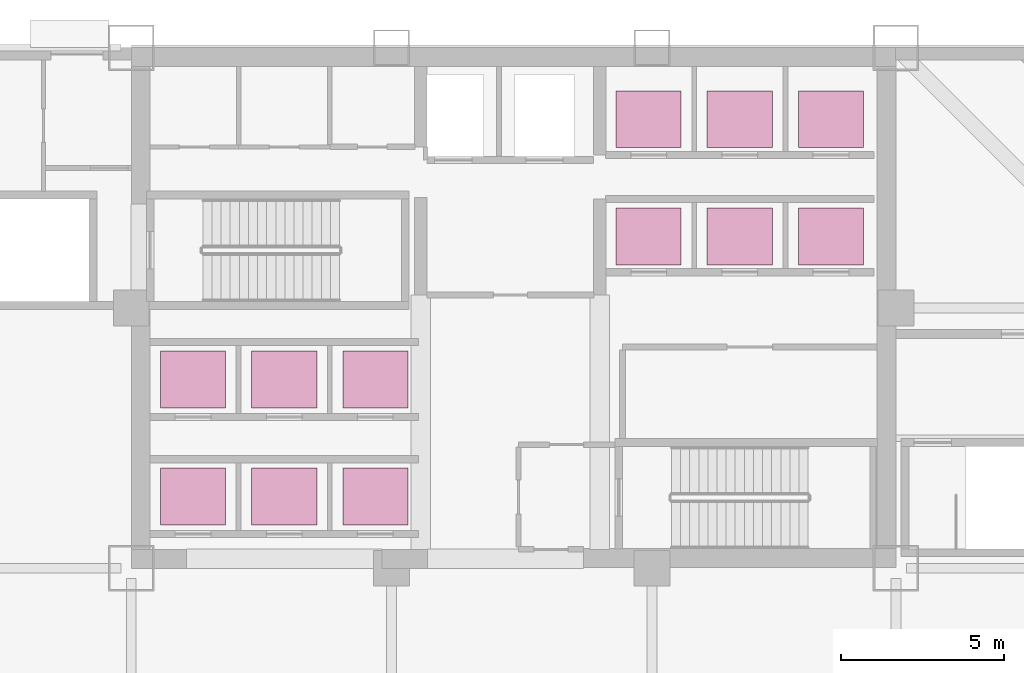
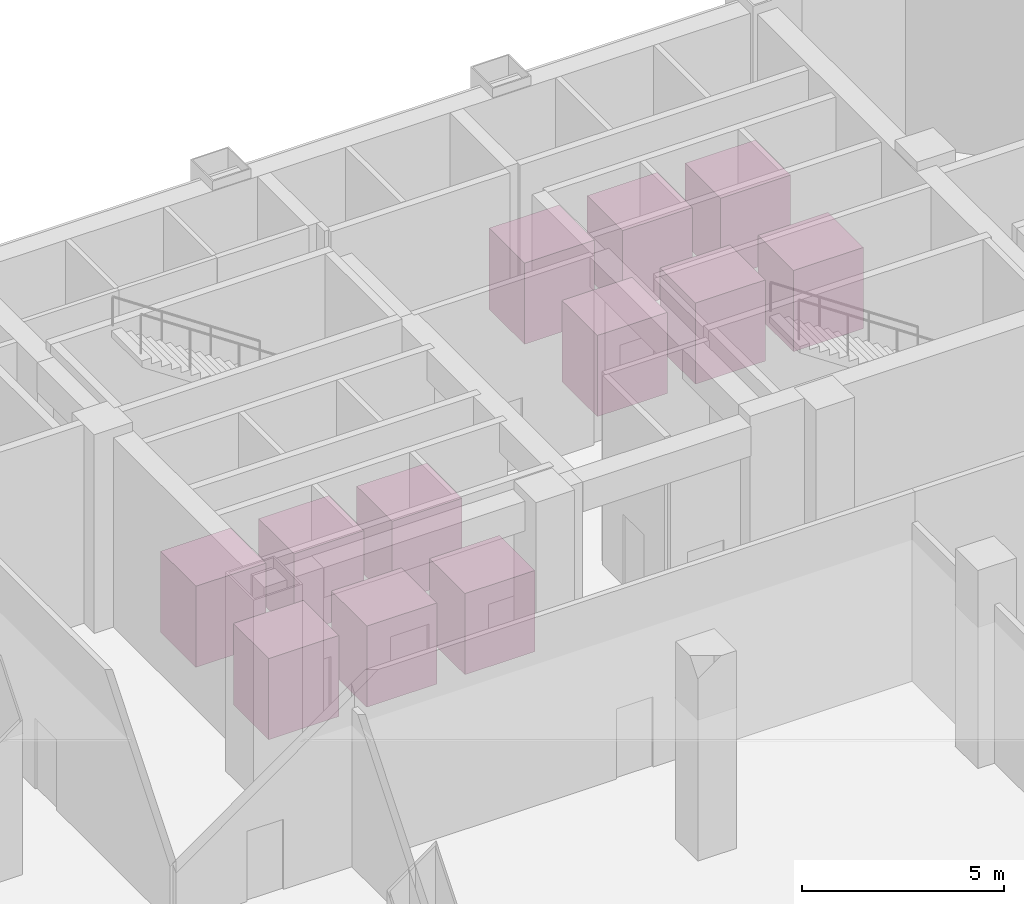
# One storey, part 19 of 19: 12 transport elements.
"""IFC4 building model written with IfcOpenShell, lengths in metres."""

from ifc_helpers import new_model, si_unit, direction, frame, origin, origin_2d, place, context, subcontext, project, spatial, rectangle, extrude, material, type_object, element, save


model = new_model("IFC4")

# Units and contexts
model_context = context("Model", 3, precision=1e-05, world=origin(), true_north=direction((0.0, 1.0)))
body_context = subcontext(model_context, "Body", "Model", "MODEL_VIEW")
ifc_project = project(units=[si_unit("LENGTHUNIT", "METRE"), si_unit("AREAUNIT", "SQUARE_METRE"), si_unit("VOLUMEUNIT", "CUBIC_METRE"), si_unit("PLANEANGLEUNIT", "RADIAN"), si_unit("MASSUNIT", "GRAM", prefix="KILO")], contexts=[model_context])

# Site, building, storey
site_placement = place(None, origin())
site = spatial("IfcSite", under=ifc_project, at=site_placement, CompositionType="ELEMENT")
building_placement = place(site_placement, origin())
building = spatial("IfcBuilding", under=site, at=building_placement, Name="Qianrong Seaharbour Tower", CompositionType="ELEMENT")
storey_placement = place(building_placement, origin())
storey = spatial("IfcBuildingStorey", under=building, at=storey_placement, Name="L01", CompositionType="ELEMENT", Elevation=0.0)

# Transport elements
ifc_material = material(Name="Stainless steel SUS316L high-speed passenger elevator car", Category="steel")
transport_element_type = type_object("IfcTransportElementType", Name="LIFT-PASS-2000x1750", PredefinedType="ELEVATOR", material=ifc_material)
for number, where, z_axis, x_axis, name in (
    (1, (42.39990234375, 38.199951171875, 0.0), (0.0, 0.0, 1.0), (1.0, 0.0, 0.0), "Passenger Elevator Car PL-1A"),
    (2, (45.199951171875, 38.199951171875, 0.0), (0.0, 0.0, 1.0), (1.0, 0.0, 0.0), "Passenger Elevator Car PL-1B"),
    (3, (48.0, 38.199951171875, 0.0), (0.0, 0.0, 1.0), (1.0, 0.0, 0.0), "Passenger Elevator Car PL-1C"),
    (4, (42.39990234375, 41.800048828125, 0.0), (0.0, 0.0, 1.0), (1.0, 0.0, 0.0), "Passenger Elevator Car PL-2A"),
    (5, (45.199951171875, 41.800048828125, 0.0), (0.0, 0.0, 1.0), (1.0, 0.0, 0.0), "Passenger Elevator Car PL-2B"),
    (6, (48.0, 41.800048828125, 0.0), (0.0, 0.0, 1.0), (1.0, 0.0, 0.0), "Passenger Elevator Car PL-2C"),
    (7, (56.39990234375, 46.199951171875, 0.0), (0.0, 0.0, 1.0), (1.0, 0.0, 0.0), "Passenger Elevator Car PL-3A"),
    (8, (59.199951171875, 46.199951171875, 0.0), (0.0, 0.0, 1.0), (1.0, 0.0, 0.0), "Passenger Elevator Car PL-3B"),
    (9, (62.0, 46.199951171875, 0.0), (0.0, 0.0, 1.0), (1.0, 0.0, 0.0), "Passenger Elevator Car PL-3C"),
    (10, (56.39990234375, 49.800048828125, 0.0), (0.0, 0.0, 1.0), (1.0, 0.0, 0.0), "Passenger Elevator Car PL-4A"),
    (11, (59.199951171875, 49.800048828125, 0.0), (0.0, 0.0, 1.0), (1.0, 0.0, 0.0), "Passenger Elevator Car PL-4B"),
    (12, (62.0, 49.800048828125, 0.0), (0.0, 0.0, 1.0), (1.0, 0.0, 0.0), "Passenger Elevator Car PL-4C"),
):
    element("IfcTransportElement", number, at=place(storey_placement, frame(where, z_axis=z_axis, x_axis=x_axis)), inside=storey, type_object=transport_element_type, Name=name, PredefinedType="ELEVATOR", context=body_context, shape_type="SweptSolid", body=[
        extrude(rectangle(XDim=2.0, YDim=1.75, at=origin_2d()), origin(), (0.0, 0.0, 1.0), 2.449951171875),
    ])

save(model, "model.ifc")
